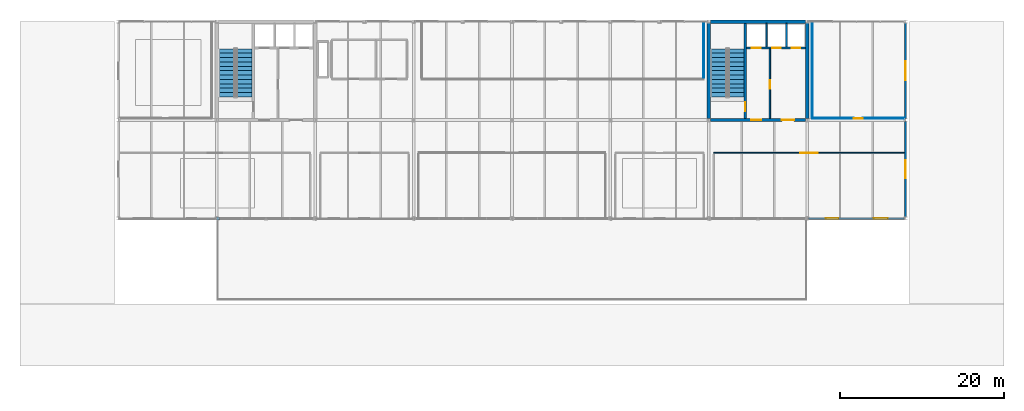
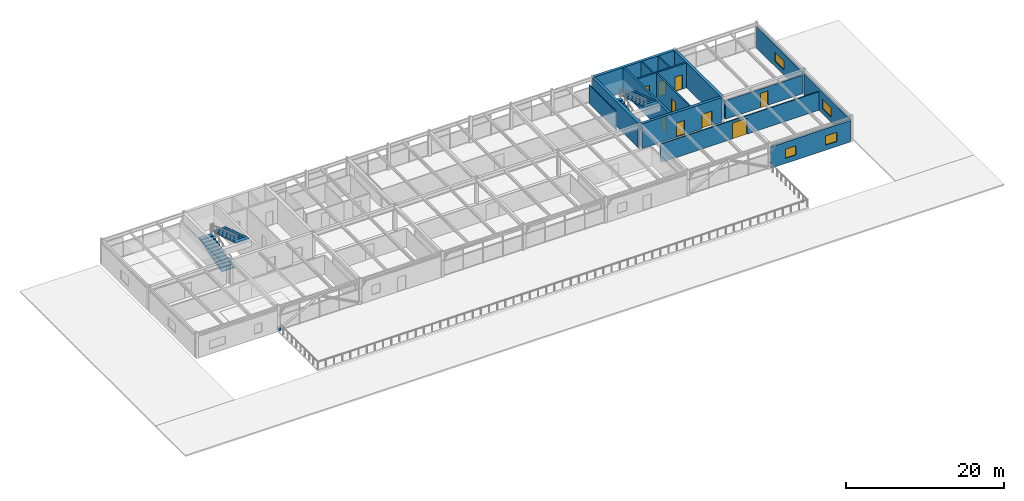
# One storey, part 25 of 30: 16 walls, 9 doors, 4 stair flights, 4 windows, 1 discrete accessory, 13 openings, 2 elements without a shape of their own.
"""IFC4 building model written with IfcOpenShell, lengths in metres."""

import ifcopenshell
import ifcopenshell.guid

model = None  # the IFC model being written
_history = None  # IfcOwnerHistory: only IFC2X3 demands one
_inside = {}  # id of a spatial element -> (the spatial element, [elements in it])
_under = {}  # id of a project, library or spatial element -> (it, [spatial elements below it])
_declared = {}  # id of a project -> (the project, [libraries it declares])
_typed = {}  # id of a type object -> (the type object, [elements of that type])
_made_of = {}  # id of a material, layer set ... -> (it, [elements and type objects made of it])


def new_model(schema):
    """Start an empty IFC model of exactly this schema.

    Asked for "IFC4X3", IfcOpenShell would pick the latest addendum, in which some entities
    have other attributes; the version numbers below select the first issue.
    IFC2X3 requires an IfcOwnerHistory on every rooted entity: one is made here for all.
    """
    global model, _history
    if schema == "IFC4X3":
        model = ifcopenshell.file(schema_version=(4, 3, 0, 0))
    else:
        model = ifcopenshell.file(schema=schema)
    _inside.clear()
    _under.clear()
    _declared.clear()
    _typed.clear()
    _made_of.clear()
    _history = None
    if model.schema == "IFC2X3":
        org = make("IfcOrganization", Name="unknown")
        user = make(
            "IfcPersonAndOrganization",
            ThePerson=make("IfcPerson", FamilyName="unknown"),
            TheOrganization=org,
        )
        app = make(
            "IfcApplication",
            ApplicationDeveloper=org,
            Version="unknown",
            ApplicationFullName="unknown",
            ApplicationIdentifier="unknown",
        )
        _history = make(
            "IfcOwnerHistory",
            OwningUser=user,
            OwningApplication=app,
            ChangeAction="ADDED",
            CreationDate=0,
        )
    return model


def make(cls, **values):
    """One entity of the class cls with the attributes given. An attribute that is None is left unset."""
    return model.create_entity(
        cls, **{name: value for name, value in values.items() if value is not None}
    )


def rooted(cls, **values):
    """An entity with a GlobalId (a new one), such as an element, a storey or a relation."""
    return make(cls, GlobalId=ifcopenshell.guid.new(), OwnerHistory=_history, **values)


def si_unit(unit_type, name, prefix=None):
    """IfcSIUnit, for example si_unit("LENGTHUNIT", "METRE", prefix="MILLI")."""
    return make("IfcSIUnit", UnitType=unit_type, Prefix=prefix, Name=name)


def assignment(units):
    """IfcUnitAssignment: the units of a project."""
    return None if units is None else make("IfcUnitAssignment", Units=units)


def point(xyz):
    """IfcCartesianPoint."""
    return None if xyz is None else make("IfcCartesianPoint", Coordinates=xyz)


def direction(xyz):
    """IfcDirection."""
    return None if xyz is None else make("IfcDirection", DirectionRatios=xyz)


def frame(location, z_axis=None, x_axis=None):
    """IfcAxis2Placement3D, a coordinate frame: its origin and axes. An axis left out is left unset."""
    return make(
        "IfcAxis2Placement3D",
        Location=point(location),
        Axis=direction(z_axis),
        RefDirection=direction(x_axis),
    )


def frame_2d(location, x_axis=None):
    """IfcAxis2Placement2D, a coordinate frame in the plane: its origin and x axis."""
    return make(
        "IfcAxis2Placement2D", Location=point(location), RefDirection=direction(x_axis)
    )


def origin():
    """The frame at (0, 0, 0) with its axes left unset."""
    return frame((0.0, 0.0, 0.0))


def origin_2d():
    """The frame at (0, 0) in the plane with its x axis left unset."""
    return frame_2d((0.0, 0.0))


def place(relative_to, where):
    """IfcLocalPlacement: puts the frame where relative to a parent placement (None: the world)."""
    return make(
        "IfcLocalPlacement", PlacementRelTo=relative_to, RelativePlacement=where
    )


def context(
    kind, dimensions, precision=None, world=None, true_north=None, identifier=None
):
    """IfcGeometricRepresentationContext, for example the 3D "Model" context."""
    return make(
        "IfcGeometricRepresentationContext",
        ContextIdentifier=identifier,
        ContextType=kind,
        CoordinateSpaceDimension=dimensions,
        Precision=precision,
        WorldCoordinateSystem=world,
        TrueNorth=true_north,
    )


def subcontext(parent, identifier, kind, view, scale=None):
    """IfcGeometricRepresentationSubContext, for example "Body" below "Model"."""
    return make(
        "IfcGeometricRepresentationSubContext",
        ContextIdentifier=identifier,
        ContextType=kind,
        ParentContext=parent,
        TargetScale=scale,
        TargetView=view,
    )


def project(units=None, contexts=None):
    """IfcProject with its units and contexts."""
    return rooted(
        "IfcProject",
        Name="project",
        RepresentationContexts=contexts,
        UnitsInContext=assignment(units),
    )


def spatial(cls, under=None, at=None, **own):
    """A site, building, storey or space (cls), placed at a placement, below another one or the project."""
    s = rooted(cls, ObjectPlacement=at, **own)
    if under is not None:
        _under.setdefault(under.id(), (under, []))[1].append(s)
    return s


def polyline(points):
    """IfcPolyline through the points."""
    return make("IfcPolyline", Points=[point(p) for p in points])


def profile(cls, at=None, kind="AREA", **sizes):
    """A parametric profile (cls). Its sizes go by their IFC names, for example OverallWidth=200.0."""
    return make(cls, ProfileType=kind, Position=at, **sizes)


def rectangle(**sizes):
    """IfcRectangleProfileDef."""
    return profile("IfcRectangleProfileDef", **sizes)


def outline(outer, holes=None, kind="AREA"):
    """IfcArbitraryClosedProfileDef: a profile drawn as a closed curve; with holes, ...WithVoids."""
    if holes is None:
        return make("IfcArbitraryClosedProfileDef", ProfileType=kind, OuterCurve=outer)
    return make(
        "IfcArbitraryProfileDefWithVoids",
        ProfileType=kind,
        OuterCurve=outer,
        InnerCurves=holes,
    )


def extrude(swept, where, along, depth):
    """IfcExtrudedAreaSolid: the profile swept, set in the frame where, extruded along a direction by depth."""
    return make(
        "IfcExtrudedAreaSolid",
        SweptArea=swept,
        Position=where,
        ExtrudedDirection=direction(along),
        Depth=depth,
    )


def shape(context_of_items, identifier, shape_type, items):
    """IfcShapeRepresentation: the items that make up one representation, for example the "Body"."""
    return make(
        "IfcShapeRepresentation",
        ContextOfItems=context_of_items,
        RepresentationIdentifier=identifier,
        RepresentationType=shape_type,
        Items=items,
    )


def material(Name=None, Category=None):
    """IfcMaterial."""
    return make("IfcMaterial", Name=Name, Category=Category)


def layer(
    of_material, thickness, ventilated=None, Name=None, Category=None, Priority=None
):
    """IfcMaterialLayer: one layer of a wall or slab, of a material (None: an air gap)."""
    return make(
        "IfcMaterialLayer",
        Material=of_material,
        LayerThickness=thickness,
        IsVentilated=ventilated,
        Name=Name,
        Category=Category,
        Priority=Priority,
    )


def layer_set(layers, Name=None):
    """IfcMaterialLayerSet."""
    return make("IfcMaterialLayerSet", MaterialLayers=layers, LayerSetName=Name)


def made_of(thing, what):
    """Note that an element or type object is made of a material, layer set ...; save() writes the relation."""
    if what is not None:
        _made_of.setdefault(what.id(), (what, []))[1].append(thing)
    return thing


def type_object(cls, material=None, **own):
    """A type object (cls), such as IfcWallType, which elements share."""
    return made_of(rooted(cls, **own), material)


def element(
    cls,
    number,
    at=None,
    inside=None,
    cuts=None,
    type_object=None,
    material=None,
    context=None,
    identifier="Body",
    shape_type=None,
    held_by="IfcProductDefinitionShape",
    body=None,
    shapes=None,
    **own,
):
    """One element of the class cls, such as IfcWall. Its Tag is "e" and its number.

    at: its placement. inside: the storey or other place that contains it. cuts: it is an
    opening in that element (IfcRelVoidsElement). A single representation is given by context,
    identifier, shape_type and body (its items); several are given by shapes. held_by: the class
    of the entity that holds the representations. save() writes the other relations.
    """
    e = rooted(cls, Tag="e%d" % number, ObjectPlacement=at, **own)
    if body is not None:
        shapes = [shape(context, identifier, shape_type, body)]
    if shapes is not None:
        e.Representation = make(held_by, Representations=shapes)
    if inside is not None:
        _inside.setdefault(inside.id(), (inside, []))[1].append(e)
    if cuts is not None:
        rooted(
            "IfcRelVoidsElement", RelatingBuildingElement=cuts, RelatedOpeningElement=e
        )
    if type_object is not None:
        _typed.setdefault(type_object.id(), (type_object, []))[1].append(e)
    return made_of(e, material)


def fill(opening, filler):
    """IfcRelFillsElement: the door or window that sits in an opening."""
    return rooted(
        "IfcRelFillsElement",
        RelatingOpeningElement=opening,
        RelatedBuildingElement=filler,
    )


def aggregate(whole, parts):
    """IfcRelAggregates: a whole, such as a stair, and the parts it consists of."""
    return rooted("IfcRelAggregates", RelatingObject=whole, RelatedObjects=parts)


def save(model, path):
    """Write the relations noted so far, then the file.

    IfcRelAggregates (storeys below a building ...), IfcRelContainedInSpatialStructure (elements
    in a storey), IfcRelDefinesByType, IfcRelAssociatesMaterial and IfcRelDeclares: one each for
    every whole, place, type object, material and project.
    """
    for whole, parts in _under.values():
        aggregate(whole, parts)
    for where, things in _inside.values():
        rooted(
            "IfcRelContainedInSpatialStructure",
            RelatedElements=things,
            RelatingStructure=where,
        )
    for kind, things in _typed.values():
        rooted("IfcRelDefinesByType", RelatedObjects=things, RelatingType=kind)
    for what, things in _made_of.values():
        rooted("IfcRelAssociatesMaterial", RelatedObjects=things, RelatingMaterial=what)
    for by, libraries in _declared.values():
        rooted("IfcRelDeclares", RelatingContext=by, RelatedDefinitions=libraries)
    model.write(path)


model = new_model("IFC4")

# Units and contexts
model_context = context("Model", 3, precision=1e-05, world=origin(), true_north=direction((0.0, 1.0)))
body_context = subcontext(model_context, "Body", "Model", "MODEL_VIEW")
ifc_project = project(units=[si_unit("LENGTHUNIT", "METRE"), si_unit("AREAUNIT", "SQUARE_METRE"), si_unit("VOLUMEUNIT", "CUBIC_METRE"), si_unit("PLANEANGLEUNIT", "RADIAN"), si_unit("MASSUNIT", "GRAM", prefix="KILO")], contexts=[model_context])

# Site, building, storey
site_placement = place(None, origin())
site = spatial("IfcSite", under=ifc_project, at=site_placement, CompositionType="ELEMENT")
building_placement = place(site_placement, origin())
building = spatial("IfcBuilding", under=site, at=building_placement, Name="Girod Span Mobility Hub", CompositionType="ELEMENT")
storey_placement = place(building_placement, frame((0.0, 0.0, 49.60009765625)))
storey = spatial("IfcBuildingStorey", under=building, at=storey_placement, Name="L12", CompositionType="ELEMENT", Elevation=49.60009765625)

# Wall, openings, doors
ifc_material_1 = material(Name="Concrete C40/50", Category="concrete")
ifc_layer_1 = layer(ifc_material_1, 0.39990234375)
ifc_layer_set_1 = layer_set([ifc_layer_1], Name="Concrete C40/50")
wall_type_1 = type_object("IfcWallType", Name="W-CW-400", PredefinedType="SHEAR", material=ifc_layer_set_1)
wall_1_placement = place(storey_placement, frame((108.194091796875, 57.0, 0.0), z_axis=(0.0, 0.0, 1.0), x_axis=(1.0, 0.0, 0.0)))
wall_1 = element("IfcWall", 1, at=wall_1_placement, inside=storey, type_object=wall_type_1, Name="Core C2 Shear Wall S L12", PredefinedType="SHEAR", context=body_context, shape_type="SweptSolid", body=[
    extrude(rectangle(XDim=11.61181640625, YDim=0.39990234375, at=frame_2d((5.805908203125, 0.0))), origin(), (0.0, 0.0, 1.0), 3.847900390625),
])
opening_1_placement = place(wall_1_placement, frame((5.006103515625, 0.0, 0.0)))
opening_1 = element("IfcOpeningElement", 2, at=opening_1_placement, cuts=wall_1, Name="Opening D-FL-C2-L12", PredefinedType="OPENING", context=body_context, shape_type="SweptSolid", body=[
    extrude(rectangle(XDim=1.199951171875, YDim=2.199951171875, at=frame_2d((0.60009765625, 1.10009765625))), frame((0.0, 0.21484375, 0.0), z_axis=(0.0, -1.0, 0.0), x_axis=(1.0, 0.0, 0.0)), (0.0, 0.0, 1.0), 0.429931640625),
])
opening_2_placement = place(wall_1_placement, frame((8.7060546875, 0.0, 0.0)))
opening_2 = element("IfcOpeningElement", 3, at=opening_2_placement, cuts=wall_1, Name="Opening D-LB-C2-L12", PredefinedType="OPENING", context=body_context, shape_type="SweptSolid", body=[
    extrude(rectangle(XDim=1.5, YDim=2.25, at=frame_2d((0.75, 1.125))), frame((0.0, 0.21484375, 0.0), z_axis=(0.0, -1.0, 0.0), x_axis=(1.0, 0.0, 0.0)), (0.0, 0.0, 1.0), 0.429931640625),
])
ifc_material_2 = material(Name="Fire-Rated Insulated Hollow Metal Steel", Category="steel")
door_type_1 = type_object("IfcDoorType", Name="DT-FD-03", OperationType="DOUBLE_DOOR_SINGLE_SWING", PredefinedType="DOOR", material=ifc_material_2)
door_1_placement = place(opening_2_placement, origin())
door_1 = element("IfcDoor", 4, at=door_1_placement, inside=storey, type_object=door_type_1, Name="Lift Lobby Entry Door C2 L12", OperationType="DOUBLE_DOOR_SINGLE_SWING", OverallHeight=2.25, OverallWidth=1.5, PredefinedType="DOOR", context=body_context, shape_type="SweptSolid", body=[
    extrude(rectangle(XDim=1.5, YDim=2.25, at=frame_2d((0.75, 1.125))), frame((0.0, 0.02490234375, 0.0), z_axis=(0.0, -1.0, 0.0), x_axis=(1.0, 0.0, 0.0)), (0.0, 0.0, 1.0), 0.050048828125),
])
fill(opening_2, door_1)
ifc_material_3 = material(Name="Fire-Rated Insulated Hollow Metal Steel", Category="steel")
door_type_2 = type_object("IfcDoorType", Name="DT-FD-05", OperationType="NOTDEFINED", PredefinedType="DOOR", material=ifc_material_3)
door_2_placement = place(opening_1_placement, origin())
door_2 = element("IfcDoor", 5, at=door_2_placement, inside=storey, type_object=door_type_2, Name="Firefighting Lobby Entry Door C2 L12", OperationType="SINGLE_SWING_RIGHT", OverallHeight=2.199951171875, OverallWidth=1.199951171875, PredefinedType="DOOR", context=body_context, shape_type="SweptSolid", body=[
    extrude(rectangle(XDim=1.199951171875, YDim=2.199951171875, at=frame_2d((0.60009765625, 1.10009765625))), frame((0.0, 0.02490234375, 0.0), z_axis=(0.0, -1.0, 0.0), x_axis=(1.0, 0.0, 0.0)), (0.0, 0.0, 1.0), 0.050048828125),
])
fill(opening_1, door_2)

# Walls
wall_2_placement = place(storey_placement, frame((108.181396484375, 69.0, 0.0), z_axis=(0.0, 0.0, 1.0), x_axis=(1.0, 0.0, 0.0)))
element("IfcWall", 6, at=wall_2_placement, inside=storey, type_object=wall_type_1, Name="Core C2 Shear Wall N L12", PredefinedType="SHEAR", context=body_context, shape_type="SweptSolid", body=[
    extrude(rectangle(XDim=11.63720703125, YDim=0.39990234375, at=frame_2d((5.818603515625, 0.0))), origin(), (0.0, 0.0, 1.0), 3.847900390625),
])
for number, where, z_axis, x_axis, name in (
    (7, (108.0, 57.1845703125, 0.0), (0.0, 0.0, 1.0), (0.0, 1.0, 0.0), "Core C2 Shear Wall W L12"),
    (8, (120.0, 57.1845703125, 0.0), (0.0, 0.0, 1.0), (0.0, 1.0, 0.0), "Core C2 Shear Wall E L12"),
):
    element("IfcWall", number, at=place(storey_placement, frame(where, z_axis=z_axis, x_axis=x_axis)), inside=storey, type_object=wall_type_1, Name=name, PredefinedType="SHEAR", context=body_context, shape_type="SweptSolid", body=[
        extrude(rectangle(XDim=11.640380859375, YDim=0.39990234375, at=frame_2d((5.8203125, 0.0))), origin(), (0.0, 0.0, 1.0), 3.847900390625),
    ])

# Wall, openings, windows
ifc_material_4 = material(Name="Precast Architectural Concrete C40/50", Category="concrete")
ifc_layer_2 = layer(ifc_material_4, 0.27001953125)
ifc_layer_set_2 = layer_set([ifc_layer_2], Name="Precast Architectural Concrete C40/50")
wall_type_2 = type_object("IfcWallType", Name="W-EXT-270", PredefinedType="SOLIDWALL", material=ifc_layer_set_2)
wall_3_placement = place(storey_placement, frame((120.1826171875, 45.0, 0.0), z_axis=(0.0, 0.0, 1.0), x_axis=(1.0, 0.0, 0.0)))
wall_3 = element("IfcWall", 9, at=wall_3_placement, inside=storey, type_object=wall_type_2, Name="Office Insulated Facade Wall S-11 L12", PredefinedType="SOLIDWALL", context=body_context, shape_type="SweptSolid", body=[
    extrude(rectangle(XDim=11.634765625, YDim=0.27001953125, at=frame_2d((5.8173828125, 0.0))), origin(), (0.0, 0.0, 1.0), 3.30078125),
])
opening_3_placement = place(wall_3_placement, frame((2.090087890625, 0.0, 0.780029296875)))
opening_3 = element("IfcOpeningElement", 10, at=opening_3_placement, cuts=wall_3, Name="Opening W-L12-S10A", PredefinedType="OPENING", context=body_context, shape_type="SweptSolid", body=[
    extrude(rectangle(XDim=1.52001953125, YDim=1.419921875, at=frame_2d((0.760009765625, 0.7099609375))), frame((0.0, 0.14990234375, 0.0), z_axis=(0.0, -1.0, 0.0), x_axis=(1.0, 0.0, 0.0)), (0.0, 0.0, 1.0), 0.300048828125),
])
opening_4_placement = place(wall_3_placement, frame((7.945068359375, 0.0, 0.780029296875)))
opening_4 = element("IfcOpeningElement", 11, at=opening_4_placement, cuts=wall_3, Name="Opening W-L12-S10B", PredefinedType="OPENING", context=body_context, shape_type="SweptSolid", body=[
    extrude(rectangle(XDim=1.679931640625, YDim=1.419921875, at=frame_2d((0.83984375, 0.7099609375))), frame((0.0, 0.14990234375, 0.0), z_axis=(0.0, -1.0, 0.0), x_axis=(1.0, 0.0, 0.0)), (0.0, 0.0, 1.0), 0.300048828125),
])
ifc_material_5 = material(Name="Double Low-E Insulated Glazing", Category="glass")
window_type_1 = type_object("IfcWindowType", Name="WN-14", PartitioningType="SINGLE_PANEL", PredefinedType="WINDOW", material=ifc_material_5)
window_1_placement = place(opening_3_placement, origin())
window_1 = element("IfcWindow", 12, at=window_1_placement, inside=storey, type_object=window_type_1, Name="Office Window WN-14", OverallHeight=1.419921875, OverallWidth=1.52001953125, PartitioningType="SINGLE_PANEL", PredefinedType="WINDOW", context=body_context, shape_type="SweptSolid", body=[
    extrude(rectangle(XDim=1.52001953125, YDim=1.419921875, at=frame_2d((0.760009765625, 0.7099609375))), frame((0.0, 0.030029296875, 0.0), z_axis=(0.0, -1.0, 0.0), x_axis=(1.0, 0.0, 0.0)), (0.0, 0.0, 1.0), 0.06005859375),
])
fill(opening_3, window_1)
ifc_material_6 = material(Name="Double Low-E Insulated Glazing", Category="glass")
window_type_2 = type_object("IfcWindowType", Name="WN-15", PartitioningType="SINGLE_PANEL", PredefinedType="WINDOW", material=ifc_material_6)
window_2_placement = place(opening_4_placement, origin())
window_2 = element("IfcWindow", 13, at=window_2_placement, inside=storey, type_object=window_type_2, Name="Office Window WN-15", OverallHeight=1.419921875, OverallWidth=1.679931640625, PartitioningType="SINGLE_PANEL", PredefinedType="WINDOW", context=body_context, shape_type="SweptSolid", body=[
    extrude(rectangle(XDim=1.679931640625, YDim=1.419921875, at=frame_2d((0.83984375, 0.7099609375))), frame((0.0, 0.030029296875, 0.0), z_axis=(0.0, -1.0, 0.0), x_axis=(1.0, 0.0, 0.0)), (0.0, 0.0, 1.0), 0.06005859375),
])
fill(opening_4, window_2)

# Wall, opening, window
wall_4_placement = place(storey_placement, frame((132.0, 45.176025390625, 0.0), z_axis=(0.0, 0.0, 1.0), x_axis=(0.0, 1.0, 0.0)))
wall_4 = element("IfcWall", 14, at=wall_4_placement, inside=storey, type_object=wall_type_2, Name="End Facade Insulated Wall E-D L12", PredefinedType="SOLIDWALL", context=body_context, shape_type="SweptSolid", body=[
    extrude(rectangle(XDim=11.64794921875, YDim=0.27001953125, at=frame_2d((5.823974609375, 0.0))), origin(), (0.0, 0.0, 1.0), 3.30078125),
])
opening_5_placement = place(wall_4_placement, frame((4.743896484375, 0.0, 0.780029296875)))
opening_5 = element("IfcOpeningElement", 15, at=opening_5_placement, cuts=wall_4, Name="Opening W-L12-E3", PredefinedType="OPENING", context=body_context, shape_type="SweptSolid", body=[
    extrude(rectangle(XDim=2.159912109375, YDim=1.419921875, at=frame_2d((1.080078125, 0.7099609375))), frame((0.0, 0.14990234375, 0.0), z_axis=(0.0, -1.0, 0.0), x_axis=(1.0, 0.0, 0.0)), (0.0, 0.0, 1.0), 0.300048828125),
])
ifc_material_7 = material(Name="Double Low-E Insulated Glazing", Category="glass")
window_type_3 = type_object("IfcWindowType", Name="WN-18", PartitioningType="DOUBLE_PANEL_VERTICAL", PredefinedType="WINDOW", material=ifc_material_7)
window_3_placement = place(opening_5_placement, origin())
window_3 = element("IfcWindow", 16, at=window_3_placement, inside=storey, type_object=window_type_3, Name="End Office Window WN-18", OverallHeight=1.419921875, OverallWidth=2.159912109375, PartitioningType="DOUBLE_PANEL_VERTICAL", PredefinedType="WINDOW", context=body_context, shape_type="SweptSolid", body=[
    extrude(rectangle(XDim=2.159912109375, YDim=1.419921875, at=frame_2d((1.080078125, 0.7099609375))), frame((0.0, 0.030029296875, 0.0), z_axis=(0.0, -1.0, 0.0), x_axis=(1.0, 0.0, 0.0)), (0.0, 0.0, 1.0), 0.06005859375),
])
fill(opening_5, window_3)

wall_5_placement = place(storey_placement, frame((132.0, 57.176025390625, 0.0), z_axis=(0.0, 0.0, 1.0), x_axis=(0.0, 1.0, 0.0)))
wall_5 = element("IfcWall", 17, at=wall_5_placement, inside=storey, type_object=wall_type_2, Name="End Facade Insulated Wall E-E L12", PredefinedType="SOLIDWALL", context=body_context, shape_type="SweptSolid", body=[
    extrude(rectangle(XDim=11.64794921875, YDim=0.27001953125, at=frame_2d((5.823974609375, 0.0))), origin(), (0.0, 0.0, 1.0), 3.30078125),
])
opening_6_placement = place(wall_5_placement, frame((4.6640625, 0.0, 0.780029296875)))
opening_6 = element("IfcOpeningElement", 18, at=opening_6_placement, cuts=wall_5, Name="Opening W-L12-E4", PredefinedType="OPENING", context=body_context, shape_type="SweptSolid", body=[
    extrude(rectangle(XDim=2.320068359375, YDim=1.419921875, at=frame_2d((1.16015625, 0.7099609375))), frame((0.0, 0.14990234375, 0.0), z_axis=(0.0, -1.0, 0.0), x_axis=(1.0, 0.0, 0.0)), (0.0, 0.0, 1.0), 0.300048828125),
])
ifc_material_8 = material(Name="Double Low-E Insulated Glazing", Category="glass")
window_type_4 = type_object("IfcWindowType", Name="WN-19", PartitioningType="DOUBLE_PANEL_VERTICAL", PredefinedType="WINDOW", material=ifc_material_8)
window_4_placement = place(opening_6_placement, origin())
window_4 = element("IfcWindow", 19, at=window_4_placement, inside=storey, type_object=window_type_4, Name="End Office Window WN-19", OverallHeight=1.419921875, OverallWidth=2.320068359375, PartitioningType="DOUBLE_PANEL_VERTICAL", PredefinedType="WINDOW", context=body_context, shape_type="SweptSolid", body=[
    extrude(rectangle(XDim=2.320068359375, YDim=1.419921875, at=frame_2d((1.16015625, 0.7099609375))), frame((0.0, 0.030029296875, 0.0), z_axis=(0.0, -1.0, 0.0), x_axis=(1.0, 0.0, 0.0)), (0.0, 0.0, 1.0), 0.06005859375),
])
fill(opening_6, window_4)

# Wall, opening, door
ifc_material_9 = material(Name="Concrete C40/50", Category="concrete")
ifc_layer_3 = layer(ifc_material_9, 0.18994140625)
ifc_layer_set_3 = layer_set([ifc_layer_3], Name="Concrete C40/50")
wall_type_3 = type_object("IfcWallType", Name="W-FL-190", PredefinedType="SOLIDWALL", material=ifc_layer_set_3)
wall_6_placement = place(storey_placement, frame((115.449951171875, 57.199951171875, 0.0), z_axis=(0.0, 0.0, 1.0), x_axis=(0.0, 1.0, 0.0)))
wall_6 = element("IfcWall", 20, at=wall_6_placement, inside=storey, type_object=wall_type_3, Name="Core C2 Firefighting Lobby Wall L12", PredefinedType="SOLIDWALL", context=body_context, shape_type="SweptSolid", body=[
    extrude(rectangle(XDim=8.47998046875, YDim=0.18994140625, at=frame_2d((4.239990234375, 0.0))), origin(), (0.0, 0.0, 1.0), 3.837890625),
])
opening_7_placement = place(wall_6_placement, frame((3.60009765625, 0.0, 0.0)))
opening_7 = element("IfcOpeningElement", 21, at=opening_7_placement, cuts=wall_6, Name="Opening D-FLX-C2-L12", PredefinedType="OPENING", context=body_context, shape_type="SweptSolid", body=[
    extrude(rectangle(XDim=1.0400390625, YDim=2.179931640625, at=frame_2d((0.52001953125, 1.08984375))), frame((0.0, 0.10986328125, 0.0), z_axis=(0.0, -1.0, 0.0), x_axis=(1.0, 0.0, 0.0)), (0.0, 0.0, 1.0), 0.219970703125),
])
ifc_material_10 = material(Name="Fire-Rated Insulated Hollow Metal Steel", Category="steel")
door_type_3 = type_object("IfcDoorType", Name="DT-FD-02", OperationType="NOTDEFINED", PredefinedType="DOOR", material=ifc_material_10)
door_3_placement = place(opening_7_placement, origin())
door_3 = element("IfcDoor", 22, at=door_3_placement, inside=storey, type_object=door_type_3, Name="Firefighting Lobby Interconnect Door C2 L12", OperationType="SINGLE_SWING_RIGHT", OverallHeight=2.179931640625, OverallWidth=1.0400390625, PredefinedType="DOOR", context=body_context, shape_type="SweptSolid", body=[
    extrude(rectangle(XDim=1.0400390625, YDim=2.179931640625, at=frame_2d((0.52001953125, 1.08984375))), frame((0.0, 0.02490234375, 0.0), z_axis=(0.0, -1.0, 0.0), x_axis=(1.0, 0.0, 0.0)), (0.0, 0.0, 1.0), 0.050048828125),
])
fill(opening_7, door_3)

# Wall
ifc_material_11 = material(Name="Fire-Rated Gypsum Board on Metal Studs", Category="gypsum")
ifc_layer_4 = layer(ifc_material_11, 0.114990234375)
ifc_layer_set_4 = layer_set([ifc_layer_4], Name="Fire-Rated Gypsum Board on Metal Studs")
wall_type_4 = type_object("IfcWallType", Name="W-PT-115", PredefinedType="PARTITIONING", material=ifc_layer_set_4)
wall_7_placement = place(storey_placement, frame((107.39990234375, 62.159912109375, 0.0), z_axis=(0.0, 0.0, 1.0), x_axis=(0.0, 1.0, 0.0)))
element("IfcWall", 23, at=wall_7_placement, inside=storey, type_object=wall_type_4, Name="Open Office North L12 Partition E", PredefinedType="PARTITIONING", context=body_context, shape_type="SweptSolid", body=[
    extrude(rectangle(XDim=6.7001953125, YDim=0.114990234375, at=frame_2d((3.35009765625, 0.0))), origin(), (0.0, 0.0, 1.0), 2.8798828125),
])

# Wall, opening, door
wall_8_placement = place(storey_placement, frame((120.60009765625, 57.199951171875, 0.0), z_axis=(0.0, 0.0, 1.0), x_axis=(1.0, 0.0, 0.0)))
wall_8 = element("IfcWall", 24, at=wall_8_placement, inside=storey, type_object=wall_type_4, Name="Planning Studio North East L12 Partition S", PredefinedType="PARTITIONING", context=body_context, shape_type="SweptSolid", body=[
    extrude(rectangle(XDim=11.260009765625, YDim=0.114990234375, at=frame_2d((5.6298828125, 0.0))), origin(), (0.0, 0.0, 1.0), 2.8798828125),
])
opening_8_placement = place(wall_8_placement, frame((5.074951171875, 0.0, 0.0)))
opening_8 = element("IfcOpeningElement", 25, at=opening_8_placement, cuts=wall_8, Name="Opening D-L12-OFF-MNE", PredefinedType="OPENING", context=body_context, shape_type="SweptSolid", body=[
    extrude(rectangle(XDim=1.110107421875, YDim=2.2099609375, at=frame_2d((0.55517578125, 1.10498046875))), frame((0.0, 0.072509765625, 0.0), z_axis=(0.0, -1.0, 0.0), x_axis=(1.0, 0.0, 0.0)), (0.0, 0.0, 1.0), 0.14501953125),
])
ifc_material_12 = material(Name="Solid-Core Architectural Timber", Category="wood")
door_type_4 = type_object("IfcDoorType", Name="DT-NR-06", OperationType="NOTDEFINED", PredefinedType="DOOR", material=ifc_material_12)
door_4_placement = place(opening_8_placement, origin())
door_4 = element("IfcDoor", 26, at=door_4_placement, inside=storey, type_object=door_type_4, Name="Planning Studio North East L12 Door", OperationType="SINGLE_SWING_RIGHT", OverallHeight=2.2099609375, OverallWidth=1.110107421875, PredefinedType="DOOR", context=body_context, shape_type="SweptSolid", body=[
    extrude(rectangle(XDim=1.110107421875, YDim=2.2099609375, at=frame_2d((0.55517578125, 1.10498046875))), frame((0.0, 0.02490234375, 0.0), z_axis=(0.0, -1.0, 0.0), x_axis=(1.0, 0.0, 0.0)), (0.0, 0.0, 1.0), 0.050048828125),
])
fill(opening_8, door_4)

# Wall
wall_9_placement = place(storey_placement, frame((120.60009765625, 57.360107421875, 0.0), z_axis=(0.0, 0.0, 1.0), x_axis=(0.0, 1.0, 0.0)))
element("IfcWall", 27, at=wall_9_placement, inside=storey, type_object=wall_type_4, Name="Planning Studio North East L12 Partition W", PredefinedType="PARTITIONING", context=body_context, shape_type="SweptSolid", body=[
    extrude(rectangle(XDim=11.5, YDim=0.114990234375, at=frame_2d((5.75, 0.0))), origin(), (0.0, 0.0, 1.0), 2.8798828125),
])

# Wall, opening, door
ifc_material_13 = material(Name="Fire-Rated Gypsum Board on Metal Studs", Category="gypsum")
ifc_layer_5 = layer(ifc_material_13, 0.139892578125)
ifc_layer_set_5 = layer_set([ifc_layer_5], Name="Fire-Rated Gypsum Board on Metal Studs")
wall_type_5 = type_object("IfcWallType", Name="W-PT-140", PredefinedType="PARTITIONING", material=ifc_layer_set_5)
wall_10_placement = place(storey_placement, frame((108.60009765625, 53.0, 0.0), z_axis=(0.0, 0.0, 1.0), x_axis=(1.0, 0.0, 0.0)))
wall_10 = element("IfcWall", 28, at=wall_10_placement, inside=storey, type_object=wall_type_5, Name="Office Suite East L12 Partition N", PredefinedType="PARTITIONING", context=body_context, shape_type="SweptSolid", body=[
    extrude(rectangle(XDim=23.260009765625, YDim=0.139892578125, at=frame_2d((11.6298828125, 0.0))), origin(), (0.0, 0.0, 1.0), 2.8798828125),
])
opening_9_placement = place(wall_10_placement, frame((10.580078125, 0.0, 0.0)))
opening_9 = element("IfcOpeningElement", 29, at=opening_9_placement, cuts=wall_10, Name="Opening D-L12-OFF-ME", PredefinedType="OPENING", context=body_context, shape_type="SweptSolid", body=[
    extrude(rectangle(XDim=2.10009765625, YDim=2.469970703125, at=frame_2d((1.050048828125, 1.23486328125))), frame((0.0, 0.0849609375, 0.0), z_axis=(0.0, -1.0, 0.0), x_axis=(1.0, 0.0, 0.0)), (0.0, 0.0, 1.0), 0.169921875),
])
ifc_material_14 = material(Name="Solid-Core Architectural Timber", Category="wood")
door_type_5 = type_object("IfcDoorType", Name="DT-NR-22", OperationType="DOUBLE_DOOR_SINGLE_SWING", PredefinedType="DOOR", material=ifc_material_14)
door_5_placement = place(opening_9_placement, origin())
door_5 = element("IfcDoor", 30, at=door_5_placement, inside=storey, type_object=door_type_5, Name="Office Suite East L12 Door", OperationType="DOUBLE_DOOR_SINGLE_SWING", OverallHeight=2.469970703125, OverallWidth=2.10009765625, PredefinedType="DOOR", context=body_context, shape_type="SweptSolid", body=[
    extrude(rectangle(XDim=2.10009765625, YDim=2.469970703125, at=frame_2d((1.050048828125, 1.23486328125))), frame((0.0, 0.02490234375, 0.0), z_axis=(0.0, -1.0, 0.0), x_axis=(1.0, 0.0, 0.0)), (0.0, 0.0, 1.0), 0.050048828125),
])
fill(opening_9, door_5)

# Walls
ifc_material_15 = material(Name="Concrete C40/50", Category="concrete")
ifc_layer_6 = layer(ifc_material_15, 0.199951171875)
ifc_layer_set_6 = layer_set([ifc_layer_6], Name="Concrete C40/50")
wall_type_6 = type_object("IfcWallType", Name="W-SH-200", PredefinedType="SOLIDWALL", material=ifc_layer_set_6)
for number, where, z_axis, x_axis, name in (
    (31, (115.050048828125, 65.919921875, 0.0), (0.0, 0.0, 1.0), (0.0, 1.0, 0.0), "Core C2 Shaft Divider 1 L12"),
    (32, (117.47998046875, 65.919921875, 0.0), (0.0, 0.0, 1.0), (0.0, 1.0, 0.0), "Core C2 Shaft Divider 2 L12"),
):
    element("IfcWall", number, at=place(storey_placement, frame(where, z_axis=z_axis, x_axis=x_axis)), inside=storey, type_object=wall_type_6, Name=name, PredefinedType="SOLIDWALL", context=body_context, shape_type="SweptSolid", body=[
        extrude(rectangle(XDim=2.880126953125, YDim=0.199951171875, at=frame_2d((1.43994140625, 0.0))), origin(), (0.0, 0.0, 1.0), 3.837890625),
    ])

# Wall, openings, doors
ifc_material_16 = material(Name="Concrete C40/50", Category="concrete")
ifc_layer_7 = layer(ifc_material_16, 0.25)
ifc_layer_set_7 = layer_set([ifc_layer_7], Name="Concrete C40/50")
wall_type_7 = type_object("IfcWallType", Name="W-SH-250", PredefinedType="SOLIDWALL", material=ifc_layer_set_7)
wall_11_placement = place(storey_placement, frame((112.596923828125, 65.800048828125, 0.0), z_axis=(0.0, 0.0, 1.0), x_axis=(1.0, 0.0, 0.0)))
wall_11 = element("IfcWall", 33, at=wall_11_placement, inside=storey, type_object=wall_type_7, Name="Core C2 Hoistway Front Wall L12", PredefinedType="SOLIDWALL", context=body_context, shape_type="SweptSolid", body=[
    extrude(rectangle(XDim=7.2060546875, YDim=0.25, at=frame_2d((3.60302734375, 0.0))), origin(), (0.0, 0.0, 1.0), 3.847900390625),
])
opening_10_placement = place(wall_11_placement, frame((0.653076171875, 0.0, 0.0)))
opening_10 = element("IfcOpeningElement", 34, at=opening_10_placement, cuts=wall_11, Name="Opening LD-FL-2-L12", PredefinedType="OPENING", context=body_context, shape_type="SweptSolid", body=[
    extrude(rectangle(XDim=1.10009765625, YDim=2.239990234375, at=frame_2d((0.550048828125, 1.1201171875))), frame((0.0, 0.139892578125, 0.0), z_axis=(0.0, -1.0, 0.0), x_axis=(1.0, 0.0, 0.0)), (0.0, 0.0, 1.0), 0.280029296875),
])
opening_11_placement = place(wall_11_placement, frame((3.153076171875, 0.0, 0.0)))
opening_11 = element("IfcOpeningElement", 35, at=opening_11_placement, cuts=wall_11, Name="Opening LD-LP-3-L12", PredefinedType="OPENING", context=body_context, shape_type="SweptSolid", body=[
    extrude(rectangle(XDim=1.050048828125, YDim=2.199951171875, at=frame_2d((0.52490234375, 1.10009765625))), frame((0.0, 0.139892578125, 0.0), z_axis=(0.0, -1.0, 0.0), x_axis=(1.0, 0.0, 0.0)), (0.0, 0.0, 1.0), 0.280029296875),
])
opening_12_placement = place(wall_11_placement, frame((5.528076171875, 0.0, 0.0)))
opening_12 = element("IfcOpeningElement", 36, at=opening_12_placement, cuts=wall_11, Name="Opening LD-LP-4-L12", PredefinedType="OPENING", context=body_context, shape_type="SweptSolid", body=[
    extrude(rectangle(XDim=1.050048828125, YDim=2.199951171875, at=frame_2d((0.52490234375, 1.10009765625))), frame((0.0, 0.139892578125, 0.0), z_axis=(0.0, -1.0, 0.0), x_axis=(1.0, 0.0, 0.0)), (0.0, 0.0, 1.0), 0.280029296875),
])
ifc_material_17 = material(Name="Brushed Stainless Steel Grade 304", Category="steel")
door_type_6 = type_object("IfcDoorType", Name="LD-FL-110", OperationType="SLIDING_TO_LEFT", PredefinedType="USERDEFINED", material=ifc_material_17)
door_6_placement = place(opening_10_placement, origin())
door_6 = element("IfcDoor", 37, at=door_6_placement, inside=storey, type_object=door_type_6, Name="Lift FL-2 Sliding Landing Door L12", ObjectType="LANDING DOOR", OperationType="SLIDING_TO_LEFT", OverallHeight=2.239990234375, OverallWidth=1.10009765625, PredefinedType="USERDEFINED", context=body_context, shape_type="SweptSolid", body=[
    extrude(rectangle(XDim=1.10009765625, YDim=2.239990234375, at=frame_2d((0.550048828125, 1.1201171875))), frame((0.0, 0.02490234375, 0.0), z_axis=(0.0, -1.0, 0.0), x_axis=(1.0, 0.0, 0.0)), (0.0, 0.0, 1.0), 0.050048828125),
])
fill(opening_10, door_6)
ifc_material_18 = material(Name="Brushed Stainless Steel Grade 304", Category="steel")
door_type_7 = type_object("IfcDoorType", Name="LD-LP-105", OperationType="SLIDING_TO_LEFT", PredefinedType="USERDEFINED", material=ifc_material_18)
door_7_placement = place(opening_11_placement, origin())
door_7 = element("IfcDoor", 38, at=door_7_placement, inside=storey, type_object=door_type_7, Name="Lift LP-3 Sliding Landing Door L12", ObjectType="LANDING DOOR", OperationType="SLIDING_TO_LEFT", OverallHeight=2.199951171875, OverallWidth=1.050048828125, PredefinedType="USERDEFINED", context=body_context, shape_type="SweptSolid", body=[
    extrude(rectangle(XDim=1.050048828125, YDim=2.199951171875, at=frame_2d((0.52490234375, 1.10009765625))), frame((0.0, 0.02490234375, 0.0), z_axis=(0.0, -1.0, 0.0), x_axis=(1.0, 0.0, 0.0)), (0.0, 0.0, 1.0), 0.050048828125),
])
fill(opening_11, door_7)
door_8_placement = place(opening_12_placement, origin())
door_8 = element("IfcDoor", 39, at=door_8_placement, inside=storey, type_object=door_type_7, Name="Lift LP-4 Sliding Landing Door L12", ObjectType="LANDING DOOR", OperationType="SLIDING_TO_LEFT", OverallHeight=2.199951171875, OverallWidth=1.050048828125, PredefinedType="USERDEFINED", context=body_context, shape_type="SweptSolid", body=[
    extrude(rectangle(XDim=1.050048828125, YDim=2.199951171875, at=frame_2d((0.52490234375, 1.10009765625))), frame((0.0, 0.02490234375, 0.0), z_axis=(0.0, -1.0, 0.0), x_axis=(1.0, 0.0, 0.0)), (0.0, 0.0, 1.0), 0.050048828125),
])
fill(opening_12, door_8)

# Wall, opening, door
ifc_material_19 = material(Name="Concrete C40/50", Category="concrete")
ifc_layer_8 = layer(ifc_material_19, 0.300048828125)
ifc_layer_set_8 = layer_set([ifc_layer_8], Name="Concrete C40/50")
wall_type_8 = type_object("IfcWallType", Name="W-SH-300", PredefinedType="SHEAR", material=ifc_layer_set_8)
wall_12_placement = place(storey_placement, frame((112.449951171875, 57.197021484375, 0.0), z_axis=(0.0, 0.0, 1.0), x_axis=(0.0, 1.0, 0.0)))
wall_12 = element("IfcWall", 40, at=wall_12_placement, inside=storey, type_object=wall_type_8, Name="Core C2 Stairwell Spine Wall L12", PredefinedType="SHEAR", context=body_context, shape_type="SweptSolid", body=[
    extrude(rectangle(XDim=11.60595703125, YDim=0.300048828125, at=frame_2d((5.802978515625, 0.0))), origin(), (0.0, 0.0, 1.0), 3.847900390625),
])
opening_13_placement = place(wall_12_placement, frame((0.89990234375, 0.0, 0.0)))
opening_13 = element("IfcOpeningElement", 41, at=opening_13_placement, cuts=wall_12, Name="Opening D-ST-2-L12", PredefinedType="OPENING", context=body_context, shape_type="SweptSolid", body=[
    extrude(rectangle(XDim=1.10009765625, YDim=2.199951171875, at=frame_2d((0.550048828125, 1.10009765625))), frame((0.0, 0.1650390625, 0.0), z_axis=(0.0, -1.0, 0.0), x_axis=(1.0, 0.0, 0.0)), (0.0, 0.0, 1.0), 0.330078125),
])
ifc_material_20 = material(Name="Fire-Rated Insulated Hollow Metal Steel", Category="steel")
door_type_8 = type_object("IfcDoorType", Name="DT-FD-01", OperationType="NOTDEFINED", PredefinedType="DOOR", material=ifc_material_20)
door_9_placement = place(opening_13_placement, origin())
door_9 = element("IfcDoor", 42, at=door_9_placement, inside=storey, type_object=door_type_8, Name="Stair ST-2 Fire Door L12", OperationType="SINGLE_SWING_LEFT", OverallHeight=2.199951171875, OverallWidth=1.10009765625, PredefinedType="DOOR", context=body_context, shape_type="SweptSolid", body=[
    extrude(rectangle(XDim=1.10009765625, YDim=2.199951171875, at=frame_2d((0.550048828125, 1.10009765625))), frame((0.0, 0.02490234375, 0.0), z_axis=(0.0, -1.0, 0.0), x_axis=(1.0, 0.0, 0.0)), (0.0, 0.0, 1.0), 0.050048828125),
])
fill(opening_13, door_9)

# Stair, stair flights
ifc_material_21 = material(Name="Concrete C40/50", Category="concrete")
stair_type = type_object("IfcStairType", Name="STR-4000-W1860", PredefinedType="HALF_TURN_STAIR", material=ifc_material_21)
stair_1_placement = place(storey_placement, origin())
stair_1 = element("IfcStair", 43, at=stair_1_placement, inside=storey, type_object=stair_type, Name="Exit Stair ST-1 L12", PredefinedType="HALF_TURN_STAIR")
ifc_material_22 = material(Name="Concrete C40/50", Category="concrete")
stair_flight_type = type_object("IfcStairFlightType", Name="STF-2000-W1860", PredefinedType="STRAIGHT", material=ifc_material_22)
stair_flight_1_placement = place(storey_placement, frame((49.25, 59.81005859375, 0.0), z_axis=(0.0, 0.0, 1.0), x_axis=(0.0, 1.0, 0.0)))
stair_flight_1 = element("IfcStairFlight", 44, at=stair_flight_1_placement, type_object=stair_flight_type, Name="Stair ST-1 Flight 1 L12", NumberOfRisers=12, NumberOfTreads=11, PredefinedType="STRAIGHT", RiserHeight=0.16667, TreadLength=0.53455, context=body_context, shape_type="SweptSolid", body=[
    extrude(outline(polyline([(0.0, 0.0), (0.0, 0.166748046875), (0.53466796875, 0.166748046875), (0.53466796875, 0.333251953125), (1.069091796875, 0.333251953125), (1.069091796875, 0.5), (1.603759765625, 0.5), (1.603759765625, 0.666748046875), (2.13818359375, 0.666748046875), (2.13818359375, 0.833251953125), (2.6728515625, 0.833251953125), (2.6728515625, 1.0), (3.207275390625, 1.0), (3.207275390625, 1.166748046875), (3.741943359375, 1.166748046875), (3.741943359375, 1.333251953125), (4.2763671875, 1.333251953125), (4.2763671875, 1.5), (4.81103515625, 1.5), (4.81103515625, 1.666748046875), (5.345458984375, 1.666748046875), (5.345458984375, 1.833251953125), (5.880126953125, 1.833251953125), (5.880126953125, 2.0), (5.880126953125, 1.634521484375), (0.63818359375, 0.0), (0.0, 0.0)])), frame((0.0, 0.93017578125, 0.0), z_axis=(0.0, -1.0, 0.0), x_axis=(1.0, 0.0, 0.0)), (0.0, 0.0, 1.0), 1.860107421875),
])
stair_flight_2_placement = place(storey_placement, frame((51.35009765625, 65.68994140625, 2.0), z_axis=(0.0, 0.0, 1.0), x_axis=(0.0, -1.0, 0.0)))
stair_flight_2 = element("IfcStairFlight", 45, at=stair_flight_2_placement, type_object=stair_flight_type, Name="Stair ST-1 Flight 2 L12", NumberOfRisers=12, NumberOfTreads=11, PredefinedType="STRAIGHT", RiserHeight=0.16667, TreadLength=0.53455, context=body_context, shape_type="SweptSolid", body=[
    extrude(outline(polyline([(0.0, 0.0), (0.0, 0.166748046875), (0.53466796875, 0.166748046875), (0.53466796875, 0.333251953125), (1.069091796875, 0.333251953125), (1.069091796875, 0.5), (1.603759765625, 0.5), (1.603759765625, 0.666748046875), (2.13818359375, 0.666748046875), (2.13818359375, 0.833251953125), (2.6728515625, 0.833251953125), (2.6728515625, 1.0), (3.207275390625, 1.0), (3.207275390625, 1.166748046875), (3.741943359375, 1.166748046875), (3.741943359375, 1.333251953125), (4.2763671875, 1.333251953125), (4.2763671875, 1.5), (4.81103515625, 1.5), (4.81103515625, 1.666748046875), (5.345458984375, 1.666748046875), (5.345458984375, 1.833251953125), (5.880126953125, 1.833251953125), (5.880126953125, 2.0), (5.880126953125, 1.634521484375), (0.63818359375, 0.0), (0.0, 0.0)])), frame((0.0, 0.93017578125, 0.0), z_axis=(0.0, -1.0, 0.0), x_axis=(1.0, 0.0, 0.0)), (0.0, 0.0, 1.0), 1.860107421875),
])
aggregate(stair_1, [stair_flight_1, stair_flight_2])

stair_2_placement = place(storey_placement, origin())
stair_2 = element("IfcStair", 46, at=stair_2_placement, inside=storey, type_object=stair_type, Name="Exit Stair ST-2 L12", PredefinedType="HALF_TURN_STAIR")
stair_flight_3_placement = place(storey_placement, frame((109.25, 59.81005859375, 0.0), z_axis=(0.0, 0.0, 1.0), x_axis=(0.0, 1.0, 0.0)))
stair_flight_3 = element("IfcStairFlight", 47, at=stair_flight_3_placement, type_object=stair_flight_type, Name="Stair ST-2 Flight 1 L12", NumberOfRisers=12, NumberOfTreads=11, PredefinedType="STRAIGHT", RiserHeight=0.16667, TreadLength=0.53455, context=body_context, shape_type="SweptSolid", body=[
    extrude(outline(polyline([(0.0, 0.0), (0.0, 0.166748046875), (0.53466796875, 0.166748046875), (0.53466796875, 0.333251953125), (1.069091796875, 0.333251953125), (1.069091796875, 0.5), (1.603759765625, 0.5), (1.603759765625, 0.666748046875), (2.13818359375, 0.666748046875), (2.13818359375, 0.833251953125), (2.6728515625, 0.833251953125), (2.6728515625, 1.0), (3.207275390625, 1.0), (3.207275390625, 1.166748046875), (3.741943359375, 1.166748046875), (3.741943359375, 1.333251953125), (4.2763671875, 1.333251953125), (4.2763671875, 1.5), (4.81103515625, 1.5), (4.81103515625, 1.666748046875), (5.345458984375, 1.666748046875), (5.345458984375, 1.833251953125), (5.880126953125, 1.833251953125), (5.880126953125, 2.0), (5.880126953125, 1.634521484375), (0.63818359375, 0.0), (0.0, 0.0)])), frame((0.0, 0.93017578125, 0.0), z_axis=(0.0, -1.0, 0.0), x_axis=(1.0, 0.0, 0.0)), (0.0, 0.0, 1.0), 1.860107421875),
])
stair_flight_4_placement = place(storey_placement, frame((111.35009765625, 65.68994140625, 2.0), z_axis=(0.0, 0.0, 1.0), x_axis=(0.0, -1.0, 0.0)))
stair_flight_4 = element("IfcStairFlight", 48, at=stair_flight_4_placement, type_object=stair_flight_type, Name="Stair ST-2 Flight 2 L12", NumberOfRisers=12, NumberOfTreads=11, PredefinedType="STRAIGHT", RiserHeight=0.16667, TreadLength=0.53455, context=body_context, shape_type="SweptSolid", body=[
    extrude(outline(polyline([(0.0, 0.0), (0.0, 0.166748046875), (0.53466796875, 0.166748046875), (0.53466796875, 0.333251953125), (1.069091796875, 0.333251953125), (1.069091796875, 0.5), (1.603759765625, 0.5), (1.603759765625, 0.666748046875), (2.13818359375, 0.666748046875), (2.13818359375, 0.833251953125), (2.6728515625, 0.833251953125), (2.6728515625, 1.0), (3.207275390625, 1.0), (3.207275390625, 1.166748046875), (3.741943359375, 1.166748046875), (3.741943359375, 1.333251953125), (4.2763671875, 1.333251953125), (4.2763671875, 1.5), (4.81103515625, 1.5), (4.81103515625, 1.666748046875), (5.345458984375, 1.666748046875), (5.345458984375, 1.833251953125), (5.880126953125, 1.833251953125), (5.880126953125, 2.0), (5.880126953125, 1.634521484375), (0.63818359375, 0.0), (0.0, 0.0)])), frame((0.0, 0.93017578125, 0.0), z_axis=(0.0, -1.0, 0.0), x_axis=(1.0, 0.0, 0.0)), (0.0, 0.0, 1.0), 1.860107421875),
])
aggregate(stair_2, [stair_flight_3, stair_flight_4])

# Discrete accessory
ifc_material_23 = material(Name="Steel HSS A500 Grade C", Category="steel")
discrete_accessory_type = type_object("IfcDiscreteAccessoryType", Name="ACC-CAP-HSS324", PredefinedType="BRACKET", material=ifc_material_23)
discrete_accessory_placement = place(storey_placement, frame((48.162353515625, 45.0, 0.0400390625), z_axis=(0.0, 0.0, 1.0), x_axis=(1.0, 0.0, 0.0)))
element("IfcDiscreteAccessory", 49, at=discrete_accessory_placement, inside=storey, type_object=discrete_accessory_type, Name="Diagrid Brace End Cap Gusset 5/D-L L12", PredefinedType="BRACKET", context=body_context, shape_type="SweptSolid", body=[
    extrude(rectangle(XDim=0.344482421875, YDim=0.360107421875, at=origin_2d()), origin(), (0.0, 0.0, 1.0), 0.419921875),
])

save(model, "model.ifc")
